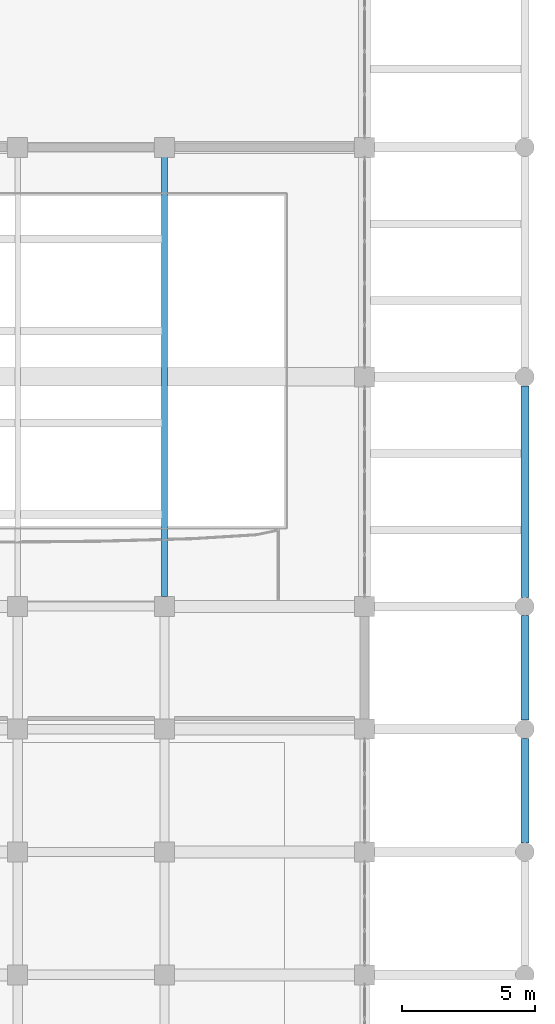
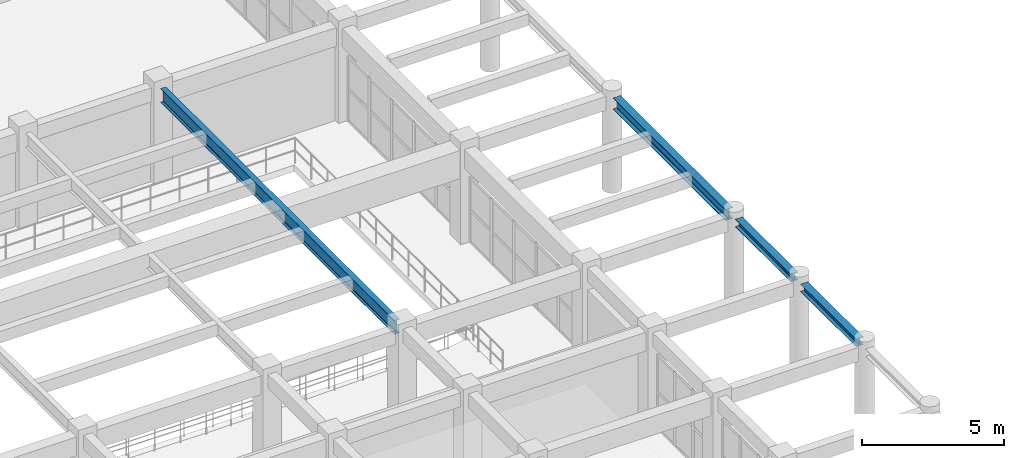
# One storey, part 78 of 116: 4 beams.
"""IFC4 building model written with IfcOpenShell, lengths in metres."""

from ifc_helpers import new_model, si_unit, direction, frame, origin, origin_2d, place, context, subcontext, project, spatial, i_section, extrude, material, material_profile, profile_set, type_object, element, save


model = new_model("IFC4")

# Units and contexts
model_context = context("Model", 3, precision=1e-05, world=origin(), true_north=direction((0.0, 1.0)))
body_context = subcontext(model_context, "Body", "Model", "MODEL_VIEW")
ifc_project = project(units=[si_unit("LENGTHUNIT", "METRE"), si_unit("AREAUNIT", "SQUARE_METRE"), si_unit("VOLUMEUNIT", "CUBIC_METRE"), si_unit("PLANEANGLEUNIT", "RADIAN"), si_unit("MASSUNIT", "GRAM", prefix="KILO")], contexts=[model_context])

# Site, building, storey
site_placement = place(None, origin())
site = spatial("IfcSite", under=ifc_project, at=site_placement, CompositionType="ELEMENT")
building_placement = place(site_placement, origin())
building = spatial("IfcBuilding", under=site, at=building_placement, Name="Muzn Square Opera House", CompositionType="ELEMENT")
storey_placement = place(building_placement, frame((0.0, 0.0, 5.39990234375)))
storey = spatial("IfcBuildingStorey", under=building, at=storey_placement, Name="L01", CompositionType="ELEMENT", Elevation=5.39990234375)

# Beams
ifc_material = material(Name="Steel S355", Category="steel")
ifc_material_profile_1 = material_profile(ifc_material, i_section(OverallWidth=0.219970703125, OverallDepth=0.60009765625, WebThickness=0.011962890625, FlangeThickness=0.01904296875, FilletRadius=0.02392578125, at=origin_2d()), Name="IPE 600", Category="steel")
ifc_profile_set_1 = profile_set([ifc_material_profile_1], Name="Steel S355")
beam_type_1 = type_object("IfcBeamType", Name="Stage Gallery Beam IPE600", PredefinedType="BEAM", material=ifc_profile_set_1)
beam_1_placement = place(storey_placement, frame((162.5, 72.967041015625, 3.739990234375), z_axis=(0.0, 1.0, 0.0), x_axis=(-1.0, 0.0, 0.0)))
element("IfcBeam", 1, at=beam_1_placement, inside=storey, type_object=beam_type_1, Name="Primary Girder BM-L01-BM-SG600-1625_730_1625_894-1764", PredefinedType="BEAM", context=body_context, shape_type="SweptSolid", body=[
    extrude(i_section(OverallWidth=0.219970703125, OverallDepth=0.60009765625, WebThickness=0.011962890625, FlangeThickness=0.01904296875, FilletRadius=0.02392578125, at=origin_2d()), origin(), (0.0, 0.0, 1.0), 16.466064453125),
])
ifc_material_profile_2 = material_profile(ifc_material, i_section(OverallWidth=0.300048828125, OverallDepth=0.330078125, WebThickness=0.009521484375, FlangeThickness=0.0166015625, FilletRadius=0.027099609375, at=origin_2d()), Name="HEA 340", Category="steel")
ifc_profile_set_2 = profile_set([ifc_material_profile_2], Name="Steel S355")
beam_type_2 = type_object("IfcBeamType", Name="Steel Spandrel Beam HEA340", PredefinedType="SPANDREL", material=ifc_profile_set_2)
for number, where, z_axis, x_axis, name in (
    (2, (176.0, 63.741943359375, 3.955078125), (0.0, 1.0, 0.0), (-1.0, 0.0, 0.0), "Spandrel Beam BM-L01-BM-SSP340-1760_637_1760_677-1794"),
    (3, (176.0, 68.342041015625, 3.955078125), (0.0, 1.0, 0.0), (-1.0, 0.0, 0.0), "Spandrel Beam BM-L01-BM-SSP340-1760_683_1760_723-1795"),
):
    element("IfcBeam", number, at=place(storey_placement, frame(where, z_axis=z_axis, x_axis=x_axis)), inside=storey, type_object=beam_type_2, Name=name, PredefinedType="SPANDREL", context=body_context, shape_type="SweptSolid", body=[
        extrude(i_section(OverallWidth=0.300048828125, OverallDepth=0.330078125, WebThickness=0.009521484375, FlangeThickness=0.0166015625, FilletRadius=0.027099609375, at=origin_2d()), origin(), (0.0, 0.0, 1.0), 3.916015625),
    ])
ifc_material_profile_3 = material_profile(ifc_material, i_section(OverallWidth=0.300048828125, OverallDepth=0.489990234375, WebThickness=0.011962890625, FlangeThickness=0.02294921875, FilletRadius=0.027099609375, at=origin_2d()), Name="HEA 500", Category="steel")
ifc_profile_set_3 = profile_set([ifc_material_profile_3], Name="Steel S355")
beam_type_3 = type_object("IfcBeamType", Name="Steel Spandrel Beam HEA500", PredefinedType="SPANDREL", material=ifc_profile_set_3)
beam_2_placement = place(storey_placement, frame((176.0, 72.94189453125, 3.875), z_axis=(0.0, 1.0, 0.0), x_axis=(-1.0, 0.0, 0.0)))
element("IfcBeam", 4, at=beam_2_placement, inside=storey, type_object=beam_type_3, Name="Spandrel Beam BM-L01-BM-SSP500-1760_729_1760_809-1796", PredefinedType="SPANDREL", context=body_context, shape_type="SweptSolid", body=[
    extrude(i_section(OverallWidth=0.300048828125, OverallDepth=0.489990234375, WebThickness=0.011962890625, FlangeThickness=0.02294921875, FilletRadius=0.027099609375, at=origin_2d()), origin(), (0.0, 0.0, 1.0), 7.916015625),
])

save(model, "model.ifc")
